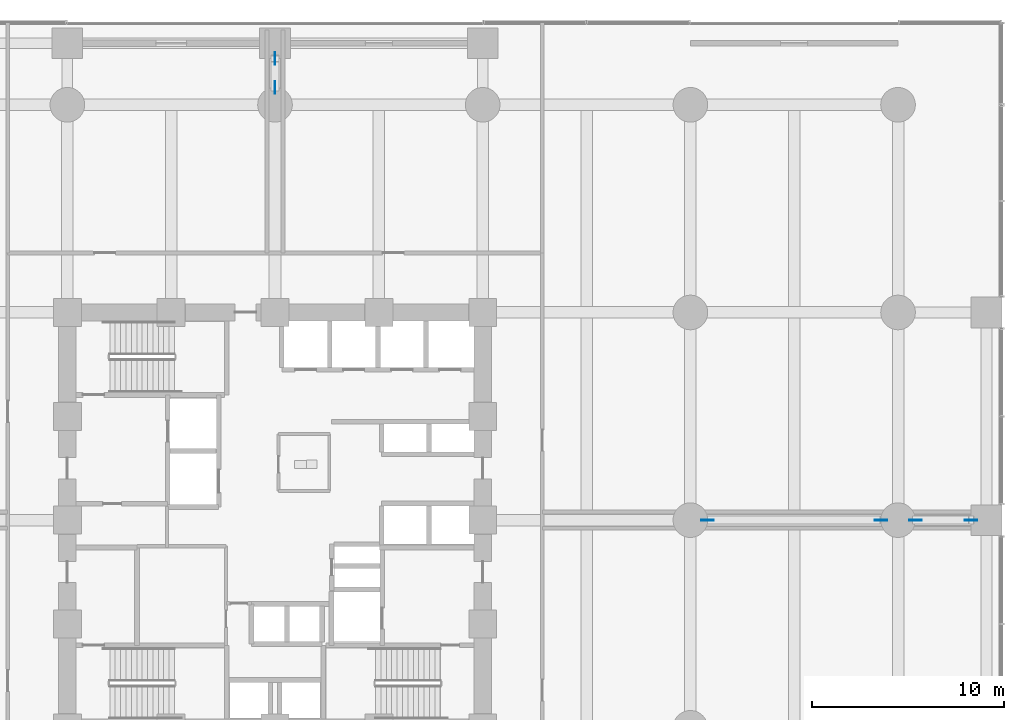
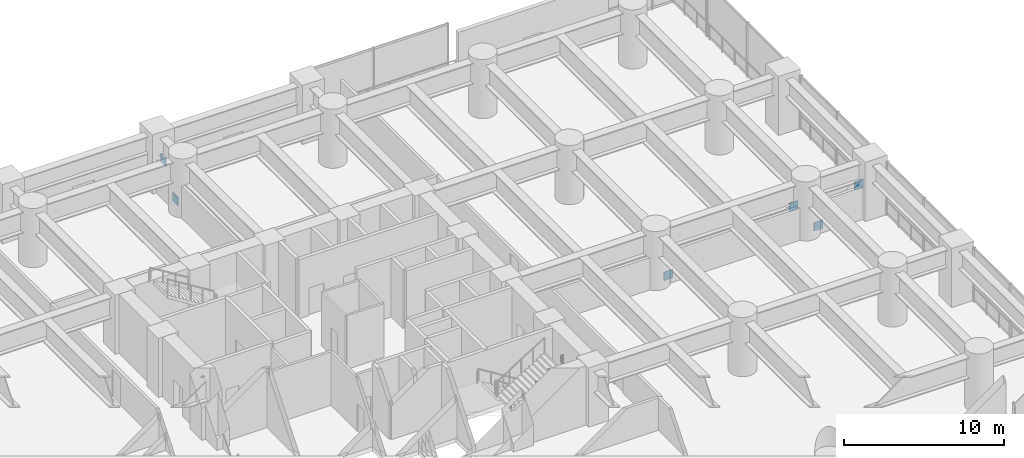
# One storey, part 28 of 37: 6 plates.
"""IFC4 building model written with IfcOpenShell, lengths in metres."""

from ifc_helpers import new_model, si_unit, direction, frame, origin, origin_2d, place, context, subcontext, project, spatial, rectangle, extrude, material, layer, layer_set, type_object, element, save


model = new_model("IFC4")

# Units and contexts
model_context = context("Model", 3, precision=1e-05, world=origin(), true_north=direction((0.0, 1.0)))
body_context = subcontext(model_context, "Body", "Model", "MODEL_VIEW")
ifc_project = project(units=[si_unit("LENGTHUNIT", "METRE"), si_unit("AREAUNIT", "SQUARE_METRE"), si_unit("VOLUMEUNIT", "CUBIC_METRE"), si_unit("PLANEANGLEUNIT", "RADIAN"), si_unit("MASSUNIT", "GRAM", prefix="KILO")], contexts=[model_context])

# Site, building, storey
site_placement = place(None, origin())
site = spatial("IfcSite", under=ifc_project, at=site_placement, CompositionType="ELEMENT")
building_placement = place(site_placement, origin())
building = spatial("IfcBuilding", under=site, at=building_placement, Name="Surkhivell Harbour Commons", CompositionType="ELEMENT")
storey_placement = place(building_placement, frame((0.0, 0.0, 18.0)))
storey = spatial("IfcBuildingStorey", under=building, at=storey_placement, Name="L04", CompositionType="ELEMENT", Elevation=18.0)

# Plates
ifc_material = material(Name="Steel S460", Category="steel")
ifc_layer = layer(ifc_material, 0.044921875)
ifc_layer_set = layer_set([ifc_layer], Name="Steel S460")
plate_type = type_object("IfcPlateType", Name="PLT-GUS-650", PredefinedType="USERDEFINED", material=ifc_layer_set)
for number, where, z_axis, x_axis, name in (
    (1, (0.0, 22.49609375, -0.06494140625), (0.0, 0.0, 1.0), (0.0, 1.0, 0.0), "L04 Transfer Truss Bottom Gusset TGP-01A"),
    (2, (0.0, 24.00390625, 2.025146484375), (0.0, 0.0, 1.0), (0.0, 1.0, 0.0), "L04 Transfer Truss Top Gusset TGP-01B"),
    (3, (22.49609375, 0.0, -0.06494140625), (0.0, 0.0, 1.0), (1.0, 0.0, 0.0), "L04 Transfer Truss Bottom Gusset TGP-05A"),
    (4, (31.50390625, 0.0, 2.025146484375), (0.0, 0.0, 1.0), (1.0, 0.0, 0.0), "L04 Transfer Truss Top Gusset TGP-05B"),
    (5, (33.2958984375, 0.0, -0.06494140625), (0.0, 0.0, 1.0), (1.0, 0.0, 0.0), "L04 Transfer Truss Bottom Gusset TGP-06A"),
    (6, (36.2041015625, 0.0, 2.025146484375), (0.0, 0.0, 1.0), (1.0, 0.0, 0.0), "L04 Transfer Truss Top Gusset TGP-06B"),
):
    element("IfcPlate", number, at=place(storey_placement, frame(where, z_axis=z_axis, x_axis=x_axis)), inside=storey, type_object=plate_type, Name=name, ObjectType="GUSSET_PLATE", PredefinedType="USERDEFINED", context=body_context, shape_type="SweptSolid", body=[
        extrude(rectangle(XDim=0.64990234375, YDim=0.044921875, at=origin_2d()), origin(), (0.0, 0.0, 1.0), 0.64990234375),
    ])

save(model, "model.ifc")
